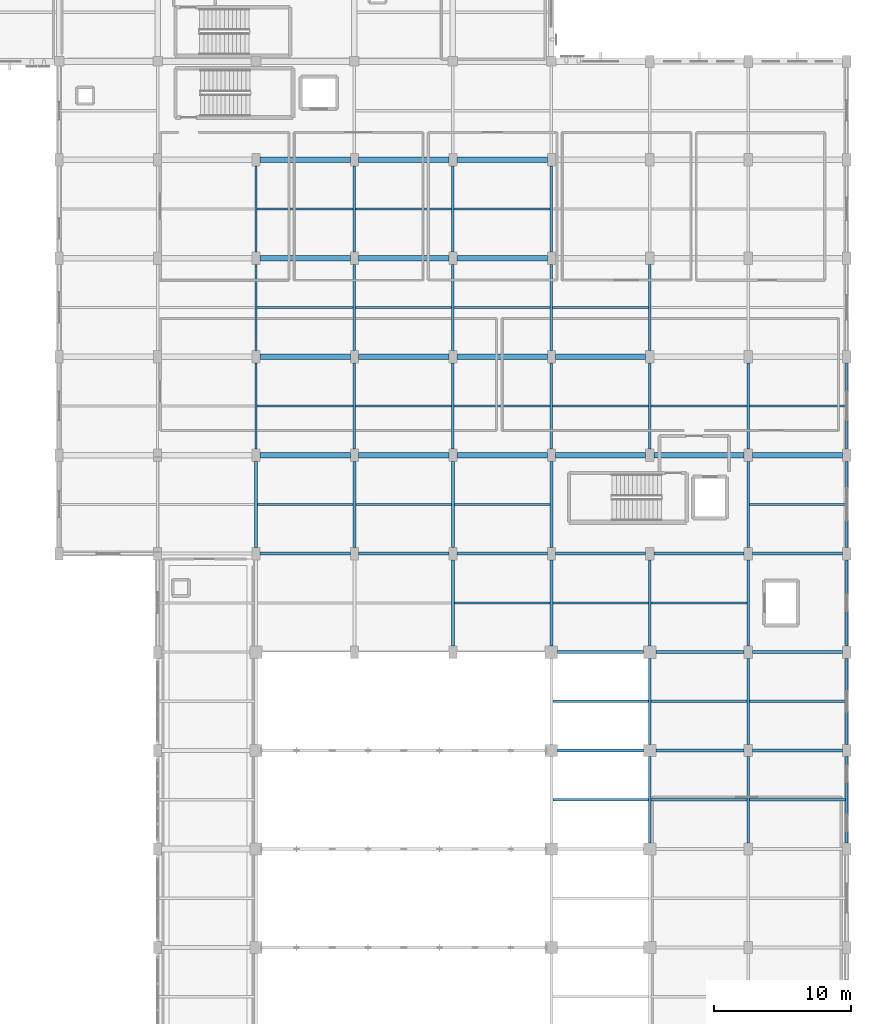
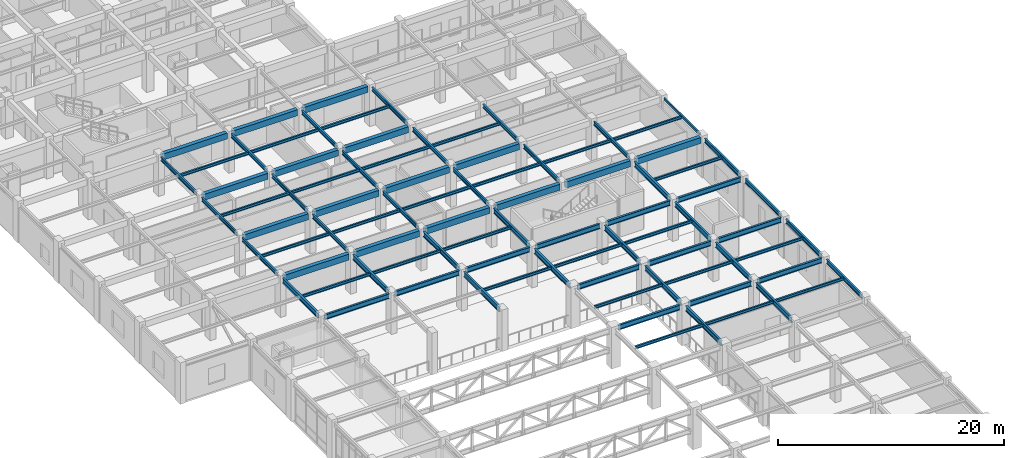
# One storey, part 51 of 106: 87 beams.
"""IFC4 building model written with IfcOpenShell, lengths in metres."""

from ifc_helpers import new_model, si_unit, direction, frame, origin, origin_2d, place, context, subcontext, project, spatial, rectangle, hollow_rectangle, i_section, extrude, material, material_profile, profile_set, type_object, element, save


model = new_model("IFC4")

# Units and contexts
model_context = context("Model", 3, precision=1e-05, world=origin(), true_north=direction((0.0, 1.0)))
body_context = subcontext(model_context, "Body", "Model", "MODEL_VIEW")
ifc_project = project(units=[si_unit("LENGTHUNIT", "METRE"), si_unit("AREAUNIT", "SQUARE_METRE"), si_unit("VOLUMEUNIT", "CUBIC_METRE"), si_unit("PLANEANGLEUNIT", "RADIAN"), si_unit("MASSUNIT", "GRAM", prefix="KILO")], contexts=[model_context])

# Site, building, storey
site_placement = place(None, origin())
site = spatial("IfcSite", under=ifc_project, at=site_placement, CompositionType="ELEMENT")
building_placement = place(site_placement, origin())
building = spatial("IfcBuilding", under=site, at=building_placement, Name="Carrowvane Square Congress Hotel", CompositionType="ELEMENT")
storey_placement = place(building_placement, frame((0.0, 0.0, 10.5)))
storey = spatial("IfcBuildingStorey", under=building, at=storey_placement, Name="L02", CompositionType="ELEMENT", Elevation=10.5)

# Beams
ifc_material_1 = material(Name="Concrete C35/45", Category="concrete")
ifc_material_profile_1 = material_profile(ifc_material_1, rectangle(XDim=0.39990234375, YDim=0.64990234375, at=origin_2d()), Name="RC 400x650")
ifc_profile_set_1 = profile_set([ifc_material_profile_1], Name="Concrete C35/45")
beam_type_1 = type_object("IfcBeamType", Name="BM-RC-400x650", PredefinedType="BEAM", material=ifc_profile_set_1)
for number, where, z_axis, x_axis, name in (
    (1, (141.5, 63.0, 3.89501953125), (1.0, 0.0, 0.0), (0.0, 1.0, 0.0), "L03 girder J/19-20"),
    (2, (148.699951171875, 63.0, 3.89501953125), (1.0, 0.0, 0.0), (0.0, 1.0, 0.0), "L03 girder J/20-21"),
    (3, (155.89990234375, 63.0, 3.89501953125), (1.0, 0.0, 0.0), (0.0, 1.0, 0.0), "L03 girder J/21-22"),
):
    element("IfcBeam", number, at=place(storey_placement, frame(where, z_axis=z_axis, x_axis=x_axis)), inside=storey, type_object=beam_type_1, Name=name, PredefinedType="BEAM", context=body_context, shape_type="SweptSolid", body=[
        extrude(rectangle(XDim=0.39990234375, YDim=0.64990234375, at=origin_2d()), origin(), (0.0, 0.0, 1.0), 6.60009765625),
    ])
for number, where, z_axis, x_axis, name in (
    (4, (163.10009765625, 63.0, 3.89501953125), (1.0, 0.0, 0.0), (0.0, 1.0, 0.0), "L03 girder J/22-23"),
    (5, (170.300048828125, 63.0, 3.89501953125), (1.0, 0.0, 0.0), (0.0, 1.0, 0.0), "L03 girder J/23-24"),
):
    element("IfcBeam", number, at=place(storey_placement, frame(where, z_axis=z_axis, x_axis=x_axis)), inside=storey, type_object=beam_type_1, Name=name, PredefinedType="BEAM", context=body_context, shape_type="SweptSolid", body=[
        extrude(rectangle(XDim=0.39990234375, YDim=0.64990234375, at=origin_2d()), origin(), (0.0, 0.0, 1.0), 6.599853515625),
    ])
for number, where, z_axis, x_axis, name in (
    (6, (177.5, 63.0, 3.89501953125), (1.0, 0.0, 0.0), (0.0, 1.0, 0.0), "L03 girder J/24-25"),
    (7, (141.5, 70.199951171875, 3.89501953125), (1.0, 0.0, 0.0), (0.0, 1.0, 0.0), "L03 girder K/19-20"),
    (8, (148.699951171875, 70.199951171875, 3.89501953125), (1.0, 0.0, 0.0), (0.0, 1.0, 0.0), "L03 girder K/20-21"),
    (9, (155.89990234375, 70.199951171875, 3.89501953125), (1.0, 0.0, 0.0), (0.0, 1.0, 0.0), "L03 girder K/21-22"),
):
    element("IfcBeam", number, at=place(storey_placement, frame(where, z_axis=z_axis, x_axis=x_axis)), inside=storey, type_object=beam_type_1, Name=name, PredefinedType="BEAM", context=body_context, shape_type="SweptSolid", body=[
        extrude(rectangle(XDim=0.39990234375, YDim=0.64990234375, at=origin_2d()), origin(), (0.0, 0.0, 1.0), 6.60009765625),
    ])
beam_1_placement = place(storey_placement, frame((163.10009765625, 70.199951171875, 3.89501953125), z_axis=(1.0, 0.0, 0.0), x_axis=(0.0, 1.0, 0.0)))
element("IfcBeam", 10, at=beam_1_placement, inside=storey, type_object=beam_type_1, Name="L03 girder K/22-23", PredefinedType="BEAM", context=body_context, shape_type="SweptSolid", body=[
    extrude(rectangle(XDim=0.39990234375, YDim=0.64990234375, at=origin_2d()), origin(), (0.0, 0.0, 1.0), 6.599853515625),
])
for number, where, z_axis, x_axis, name in (
    (11, (141.5, 77.39990234375, 3.89501953125), (1.0, 0.0, 0.0), (0.0, 1.0, 0.0), "L03 girder L/19-20"),
    (12, (148.699951171875, 77.39990234375, 3.89501953125), (1.0, 0.0, 0.0), (0.0, 1.0, 0.0), "L03 girder L/20-21"),
    (13, (155.89990234375, 77.39990234375, 3.89501953125), (1.0, 0.0, 0.0), (0.0, 1.0, 0.0), "L03 girder L/21-22"),
    (14, (141.5, 84.60009765625, 3.89501953125), (1.0, 0.0, 0.0), (0.0, 1.0, 0.0), "L03 girder M/19-20"),
    (15, (148.699951171875, 84.60009765625, 3.89501953125), (1.0, 0.0, 0.0), (0.0, 1.0, 0.0), "L03 girder M/20-21"),
    (16, (155.89990234375, 84.60009765625, 3.89501953125), (1.0, 0.0, 0.0), (0.0, 1.0, 0.0), "L03 girder M/21-22"),
):
    element("IfcBeam", number, at=place(storey_placement, frame(where, z_axis=z_axis, x_axis=x_axis)), inside=storey, type_object=beam_type_1, Name=name, PredefinedType="BEAM", context=body_context, shape_type="SweptSolid", body=[
        extrude(rectangle(XDim=0.39990234375, YDim=0.64990234375, at=origin_2d()), origin(), (0.0, 0.0, 1.0), 6.60009765625),
    ])
ifc_material_2 = material(Name="Steel S355", Category="steel")
ifc_material_profile_2 = material_profile(ifc_material_2, hollow_rectangle(XDim=0.14990234375, YDim=0.25, WallThickness=0.012451171875, at=origin_2d()), Name="RHS 250x150x12.5")
ifc_profile_set_2 = profile_set([ifc_material_profile_2], Name="Steel S355")
beam_type_2 = type_object("IfcBeamType", Name="BM-ST-RHS250", PredefinedType="SPANDREL", material=ifc_profile_set_2)
beam_2_placement = place(storey_placement, frame((184.39990234375, 63.449951171875, 4.094970703125), z_axis=(0.0, 1.0, 0.0), x_axis=(-1.0, 0.0, 0.0)))
element("IfcBeam", 17, at=beam_2_placement, inside=storey, type_object=beam_type_2, Name="L03 girder 25/J-K", PredefinedType="SPANDREL", context=body_context, shape_type="SweptSolid", body=[
    extrude(hollow_rectangle(XDim=0.14990234375, YDim=0.25, WallThickness=0.012451171875, at=origin_2d()), origin(), (0.0, 0.0, 1.0), 6.300048828125),
])
ifc_material_3 = material(Name="Steel S355", Category="steel")
ifc_material_profile_3 = material_profile(ifc_material_3, i_section(OverallWidth=0.165771484375, OverallDepth=0.306640625, WebThickness=0.006591796875, FlangeThickness=0.01171875, FilletRadius=0.0087890625, at=origin_2d()), Name="UKB 305x165x46")
ifc_profile_set_3 = profile_set([ifc_material_profile_3], Name="Steel S355")
beam_type_3 = type_object("IfcBeamType", Name="BM-ST-UKB305", PredefinedType="JOIST", material=ifc_profile_set_3)
beam_3_placement = place(storey_placement, frame((141.304931640625, 59.39990234375, 4.066650390625), z_axis=(1.0, 0.0, 0.0), x_axis=(0.0, 1.0, 0.0)))
element("IfcBeam", 18, at=beam_3_placement, inside=storey, type_object=beam_type_3, Name="L03 secondary joist 19-20", PredefinedType="JOIST", context=body_context, shape_type="SweptSolid", body=[
    extrude(i_section(OverallWidth=0.165771484375, OverallDepth=0.306640625, WebThickness=0.006591796875, FlangeThickness=0.01171875, FilletRadius=0.0087890625, at=origin_2d()), origin(), (0.0, 0.0, 1.0), 6.989990234375),
])
for number, where, z_axis, x_axis, name in (
    (19, (141.289306640625, 66.60009765625, 4.066650390625), (1.0, 0.0, 0.0), (0.0, 1.0, 0.0), "L03 secondary joist 19-20"),
    (20, (141.289306640625, 73.800048828125, 4.066650390625), (1.0, 0.0, 0.0), (0.0, 1.0, 0.0), "L03 secondary joist 19-20"),
    (21, (141.289306640625, 81.0, 4.066650390625), (1.0, 0.0, 0.0), (0.0, 1.0, 0.0), "L03 secondary joist 19-20"),
):
    element("IfcBeam", number, at=place(storey_placement, frame(where, z_axis=z_axis, x_axis=x_axis)), inside=storey, type_object=beam_type_3, Name=name, PredefinedType="JOIST", context=body_context, shape_type="SweptSolid", body=[
        extrude(i_section(OverallWidth=0.165771484375, OverallDepth=0.306640625, WebThickness=0.006591796875, FlangeThickness=0.01171875, FilletRadius=0.0087890625, at=origin_2d()), origin(), (0.0, 0.0, 1.0), 7.021240234375),
    ])
beam_4_placement = place(storey_placement, frame((148.5048828125, 59.39990234375, 4.066650390625), z_axis=(1.0, 0.0, 0.0), x_axis=(0.0, 1.0, 0.0)))
element("IfcBeam", 22, at=beam_4_placement, inside=storey, type_object=beam_type_3, Name="L03 secondary joist 20-21", PredefinedType="JOIST", context=body_context, shape_type="SweptSolid", body=[
    extrude(i_section(OverallWidth=0.165771484375, OverallDepth=0.306640625, WebThickness=0.006591796875, FlangeThickness=0.01171875, FilletRadius=0.0087890625, at=origin_2d()), origin(), (0.0, 0.0, 1.0), 6.990234375),
])
for number, where, z_axis, x_axis, name in (
    (23, (148.489501953125, 66.60009765625, 4.066650390625), (1.0, 0.0, 0.0), (0.0, 1.0, 0.0), "L03 secondary joist 20-21"),
    (24, (148.489501953125, 73.800048828125, 4.066650390625), (1.0, 0.0, 0.0), (0.0, 1.0, 0.0), "L03 secondary joist 20-21"),
    (25, (148.489501953125, 81.0, 4.066650390625), (1.0, 0.0, 0.0), (0.0, 1.0, 0.0), "L03 secondary joist 20-21"),
):
    element("IfcBeam", number, at=place(storey_placement, frame(where, z_axis=z_axis, x_axis=x_axis)), inside=storey, type_object=beam_type_3, Name=name, PredefinedType="JOIST", context=body_context, shape_type="SweptSolid", body=[
        extrude(i_section(OverallWidth=0.165771484375, OverallDepth=0.306640625, WebThickness=0.006591796875, FlangeThickness=0.01171875, FilletRadius=0.0087890625, at=origin_2d()), origin(), (0.0, 0.0, 1.0), 7.02099609375),
    ])
for number, where, z_axis, x_axis, name in (
    (26, (155.705078125, 52.199951171875, 4.066650390625), (1.0, 0.0, 0.0), (0.0, 1.0, 0.0), "L03 secondary joist 21-22"),
    (27, (155.705078125, 59.39990234375, 4.066650390625), (1.0, 0.0, 0.0), (0.0, 1.0, 0.0), "L03 secondary joist 21-22"),
):
    element("IfcBeam", number, at=place(storey_placement, frame(where, z_axis=z_axis, x_axis=x_axis)), inside=storey, type_object=beam_type_3, Name=name, PredefinedType="JOIST", context=body_context, shape_type="SweptSolid", body=[
        extrude(i_section(OverallWidth=0.165771484375, OverallDepth=0.306640625, WebThickness=0.006591796875, FlangeThickness=0.01171875, FilletRadius=0.0087890625, at=origin_2d()), origin(), (0.0, 0.0, 1.0), 6.989990234375),
    ])
for number, where, z_axis, x_axis, name in (
    (28, (155.689453125, 66.60009765625, 4.066650390625), (1.0, 0.0, 0.0), (0.0, 1.0, 0.0), "L03 secondary joist 21-22"),
    (29, (155.689453125, 73.800048828125, 4.066650390625), (1.0, 0.0, 0.0), (0.0, 1.0, 0.0), "L03 secondary joist 21-22"),
    (30, (155.689453125, 81.0, 4.066650390625), (1.0, 0.0, 0.0), (0.0, 1.0, 0.0), "L03 secondary joist 21-22"),
):
    element("IfcBeam", number, at=place(storey_placement, frame(where, z_axis=z_axis, x_axis=x_axis)), inside=storey, type_object=beam_type_3, Name=name, PredefinedType="JOIST", context=body_context, shape_type="SweptSolid", body=[
        extrude(i_section(OverallWidth=0.165771484375, OverallDepth=0.306640625, WebThickness=0.006591796875, FlangeThickness=0.01171875, FilletRadius=0.0087890625, at=origin_2d()), origin(), (0.0, 0.0, 1.0), 7.021240234375),
    ])
for number, where, z_axis, x_axis, name in (
    (31, (162.905029296875, 37.800048828125, 4.066650390625), (1.0, 0.0, 0.0), (0.0, 1.0, 0.0), "L03 secondary joist 22-23"),
    (32, (162.905029296875, 45.0, 4.066650390625), (1.0, 0.0, 0.0), (0.0, 1.0, 0.0), "L03 secondary joist 22-23"),
    (33, (162.905029296875, 52.199951171875, 4.066650390625), (1.0, 0.0, 0.0), (0.0, 1.0, 0.0), "L03 secondary joist 22-23"),
):
    element("IfcBeam", number, at=place(storey_placement, frame(where, z_axis=z_axis, x_axis=x_axis)), inside=storey, type_object=beam_type_3, Name=name, PredefinedType="JOIST", context=body_context, shape_type="SweptSolid", body=[
        extrude(i_section(OverallWidth=0.165771484375, OverallDepth=0.306640625, WebThickness=0.006591796875, FlangeThickness=0.01171875, FilletRadius=0.0087890625, at=origin_2d()), origin(), (0.0, 0.0, 1.0), 6.989990234375),
    ])
for number, where, z_axis, x_axis, name in (
    (34, (162.889404296875, 66.60009765625, 4.066650390625), (1.0, 0.0, 0.0), (0.0, 1.0, 0.0), "L03 secondary joist 22-23"),
    (35, (162.889404296875, 73.800048828125, 4.066650390625), (1.0, 0.0, 0.0), (0.0, 1.0, 0.0), "L03 secondary joist 22-23"),
):
    element("IfcBeam", number, at=place(storey_placement, frame(where, z_axis=z_axis, x_axis=x_axis)), inside=storey, type_object=beam_type_3, Name=name, PredefinedType="JOIST", context=body_context, shape_type="SweptSolid", body=[
        extrude(i_section(OverallWidth=0.165771484375, OverallDepth=0.306640625, WebThickness=0.006591796875, FlangeThickness=0.01171875, FilletRadius=0.0087890625, at=origin_2d()), origin(), (0.0, 0.0, 1.0), 7.021240234375),
    ])
for number, where, z_axis, x_axis, name in (
    (36, (170.10498046875, 37.800048828125, 4.066650390625), (1.0, 0.0, 0.0), (0.0, 1.0, 0.0), "L03 secondary joist 23-24"),
    (37, (170.10498046875, 45.0, 4.066650390625), (1.0, 0.0, 0.0), (0.0, 1.0, 0.0), "L03 secondary joist 23-24"),
    (38, (170.10498046875, 52.199951171875, 4.066650390625), (1.0, 0.0, 0.0), (0.0, 1.0, 0.0), "L03 secondary joist 23-24"),
):
    element("IfcBeam", number, at=place(storey_placement, frame(where, z_axis=z_axis, x_axis=x_axis)), inside=storey, type_object=beam_type_3, Name=name, PredefinedType="JOIST", context=body_context, shape_type="SweptSolid", body=[
        extrude(i_section(OverallWidth=0.165771484375, OverallDepth=0.306640625, WebThickness=0.006591796875, FlangeThickness=0.01171875, FilletRadius=0.0087890625, at=origin_2d()), origin(), (0.0, 0.0, 1.0), 6.989990234375),
    ])
beam_5_placement = place(storey_placement, frame((170.08935546875, 66.60009765625, 4.066650390625), z_axis=(1.0, 0.0, 0.0), x_axis=(0.0, 1.0, 0.0)))
element("IfcBeam", 39, at=beam_5_placement, inside=storey, type_object=beam_type_3, Name="L03 secondary joist 23-24", PredefinedType="JOIST", context=body_context, shape_type="SweptSolid", body=[
    extrude(i_section(OverallWidth=0.165771484375, OverallDepth=0.306640625, WebThickness=0.006591796875, FlangeThickness=0.01171875, FilletRadius=0.0087890625, at=origin_2d()), origin(), (0.0, 0.0, 1.0), 7.021240234375),
])
for number, where, z_axis, x_axis, name in (
    (40, (177.304931640625, 37.800048828125, 4.066650390625), (1.0, 0.0, 0.0), (0.0, 1.0, 0.0), "L03 secondary joist 24-25"),
    (41, (177.304931640625, 45.0, 4.066650390625), (1.0, 0.0, 0.0), (0.0, 1.0, 0.0), "L03 secondary joist 24-25"),
    (42, (177.304931640625, 59.39990234375, 4.066650390625), (1.0, 0.0, 0.0), (0.0, 1.0, 0.0), "L03 secondary joist 24-25"),
):
    element("IfcBeam", number, at=place(storey_placement, frame(where, z_axis=z_axis, x_axis=x_axis)), inside=storey, type_object=beam_type_3, Name=name, PredefinedType="JOIST", context=body_context, shape_type="SweptSolid", body=[
        extrude(i_section(OverallWidth=0.165771484375, OverallDepth=0.306640625, WebThickness=0.006591796875, FlangeThickness=0.01171875, FilletRadius=0.0087890625, at=origin_2d()), origin(), (0.0, 0.0, 1.0), 6.99951171875),
    ])
beam_6_placement = place(storey_placement, frame((177.289306640625, 66.60009765625, 4.066650390625), z_axis=(1.0, 0.0, 0.0), x_axis=(0.0, 1.0, 0.0)))
element("IfcBeam", 43, at=beam_6_placement, inside=storey, type_object=beam_type_3, Name="L03 secondary joist 24-25", PredefinedType="JOIST", context=body_context, shape_type="SweptSolid", body=[
    extrude(i_section(OverallWidth=0.165771484375, OverallDepth=0.306640625, WebThickness=0.006591796875, FlangeThickness=0.01171875, FilletRadius=0.0087890625, at=origin_2d()), origin(), (0.0, 0.0, 1.0), 7.03564453125),
])
ifc_material_4 = material(Name="Steel S355", Category="steel")
ifc_material_profile_4 = material_profile(ifc_material_4, i_section(OverallWidth=0.1787109375, OverallDepth=0.409423828125, WebThickness=0.0087890625, FlangeThickness=0.014404296875, FilletRadius=0.01025390625, at=origin_2d()), Name="UKB 406x178x67")
ifc_profile_set_4 = profile_set([ifc_material_profile_4], Name="Steel S355")
beam_type_4 = type_object("IfcBeamType", Name="BM-ST-UKB406", PredefinedType="BEAM", material=ifc_profile_set_4)
for number, where, z_axis, x_axis, name in (
    (44, (141.199951171875, 63.449951171875, 4.015380859375), (0.0, 1.0, 0.0), (-1.0, 0.0, 0.0), "L03 girder 19/J-K"),
    (45, (141.199951171875, 70.64990234375, 4.015380859375), (0.0, 1.0, 0.0), (-1.0, 0.0, 0.0), "L03 girder 19/K-L"),
):
    element("IfcBeam", number, at=place(storey_placement, frame(where, z_axis=z_axis, x_axis=x_axis)), inside=storey, type_object=beam_type_4, Name=name, PredefinedType="BEAM", context=body_context, shape_type="SweptSolid", body=[
        extrude(i_section(OverallWidth=0.1787109375, OverallDepth=0.409423828125, WebThickness=0.0087890625, FlangeThickness=0.014404296875, FilletRadius=0.01025390625, at=origin_2d()), origin(), (0.0, 0.0, 1.0), 6.300048828125),
    ])
beam_7_placement = place(storey_placement, frame((141.199951171875, 77.85009765625, 4.015380859375), z_axis=(0.0, 1.0, 0.0), x_axis=(-1.0, 0.0, 0.0)))
element("IfcBeam", 46, at=beam_7_placement, inside=storey, type_object=beam_type_4, Name="L03 girder 19/L-M", PredefinedType="BEAM", context=body_context, shape_type="SweptSolid", body=[
    extrude(i_section(OverallWidth=0.1787109375, OverallDepth=0.409423828125, WebThickness=0.0087890625, FlangeThickness=0.014404296875, FilletRadius=0.01025390625, at=origin_2d()), origin(), (0.0, 0.0, 1.0), 6.2998046875),
])
for number, where, z_axis, x_axis, name in (
    (47, (148.39990234375, 63.449951171875, 4.015380859375), (0.0, 1.0, 0.0), (-1.0, 0.0, 0.0), "L03 girder 20/J-K"),
    (48, (148.39990234375, 70.64990234375, 4.015380859375), (0.0, 1.0, 0.0), (-1.0, 0.0, 0.0), "L03 girder 20/K-L"),
):
    element("IfcBeam", number, at=place(storey_placement, frame(where, z_axis=z_axis, x_axis=x_axis)), inside=storey, type_object=beam_type_4, Name=name, PredefinedType="BEAM", context=body_context, shape_type="SweptSolid", body=[
        extrude(i_section(OverallWidth=0.1787109375, OverallDepth=0.409423828125, WebThickness=0.0087890625, FlangeThickness=0.014404296875, FilletRadius=0.01025390625, at=origin_2d()), origin(), (0.0, 0.0, 1.0), 6.300048828125),
    ])
beam_8_placement = place(storey_placement, frame((148.39990234375, 77.85009765625, 4.015380859375), z_axis=(0.0, 1.0, 0.0), x_axis=(-1.0, 0.0, 0.0)))
element("IfcBeam", 49, at=beam_8_placement, inside=storey, type_object=beam_type_4, Name="L03 girder 20/L-M", PredefinedType="BEAM", context=body_context, shape_type="SweptSolid", body=[
    extrude(i_section(OverallWidth=0.1787109375, OverallDepth=0.409423828125, WebThickness=0.0087890625, FlangeThickness=0.014404296875, FilletRadius=0.01025390625, at=origin_2d()), origin(), (0.0, 0.0, 1.0), 6.2998046875),
])
for number, where, z_axis, x_axis, name in (
    (50, (155.60009765625, 63.449951171875, 4.015380859375), (0.0, 1.0, 0.0), (-1.0, 0.0, 0.0), "L03 girder 21/J-K"),
    (51, (155.60009765625, 70.64990234375, 4.015380859375), (0.0, 1.0, 0.0), (-1.0, 0.0, 0.0), "L03 girder 21/K-L"),
):
    element("IfcBeam", number, at=place(storey_placement, frame(where, z_axis=z_axis, x_axis=x_axis)), inside=storey, type_object=beam_type_4, Name=name, PredefinedType="BEAM", context=body_context, shape_type="SweptSolid", body=[
        extrude(i_section(OverallWidth=0.1787109375, OverallDepth=0.409423828125, WebThickness=0.0087890625, FlangeThickness=0.014404296875, FilletRadius=0.01025390625, at=origin_2d()), origin(), (0.0, 0.0, 1.0), 6.300048828125),
    ])
beam_9_placement = place(storey_placement, frame((155.60009765625, 77.85009765625, 4.015380859375), z_axis=(0.0, 1.0, 0.0), x_axis=(-1.0, 0.0, 0.0)))
element("IfcBeam", 52, at=beam_9_placement, inside=storey, type_object=beam_type_4, Name="L03 girder 21/L-M", PredefinedType="BEAM", context=body_context, shape_type="SweptSolid", body=[
    extrude(i_section(OverallWidth=0.1787109375, OverallDepth=0.409423828125, WebThickness=0.0087890625, FlangeThickness=0.014404296875, FilletRadius=0.01025390625, at=origin_2d()), origin(), (0.0, 0.0, 1.0), 6.2998046875),
])
for number, where, z_axis, x_axis, name in (
    (53, (162.800048828125, 63.449951171875, 4.015380859375), (0.0, 1.0, 0.0), (-1.0, 0.0, 0.0), "L03 girder 22/J-K"),
    (54, (162.800048828125, 70.64990234375, 4.015380859375), (0.0, 1.0, 0.0), (-1.0, 0.0, 0.0), "L03 girder 22/K-L"),
):
    element("IfcBeam", number, at=place(storey_placement, frame(where, z_axis=z_axis, x_axis=x_axis)), inside=storey, type_object=beam_type_4, Name=name, PredefinedType="BEAM", context=body_context, shape_type="SweptSolid", body=[
        extrude(i_section(OverallWidth=0.1787109375, OverallDepth=0.409423828125, WebThickness=0.0087890625, FlangeThickness=0.014404296875, FilletRadius=0.01025390625, at=origin_2d()), origin(), (0.0, 0.0, 1.0), 6.300048828125),
    ])
beam_10_placement = place(storey_placement, frame((162.800048828125, 77.85009765625, 4.015380859375), z_axis=(0.0, 1.0, 0.0), x_axis=(-1.0, 0.0, 0.0)))
element("IfcBeam", 55, at=beam_10_placement, inside=storey, type_object=beam_type_4, Name="L03 girder 22/L-M", PredefinedType="BEAM", context=body_context, shape_type="SweptSolid", body=[
    extrude(i_section(OverallWidth=0.1787109375, OverallDepth=0.409423828125, WebThickness=0.0087890625, FlangeThickness=0.014404296875, FilletRadius=0.01025390625, at=origin_2d()), origin(), (0.0, 0.0, 1.0), 6.2998046875),
])
for number, where, z_axis, x_axis, name in (
    (56, (170.0, 63.449951171875, 4.015380859375), (0.0, 1.0, 0.0), (-1.0, 0.0, 0.0), "L03 girder 23/J-K"),
    (57, (170.0, 70.64990234375, 4.015380859375), (0.0, 1.0, 0.0), (-1.0, 0.0, 0.0), "L03 girder 23/K-L"),
    (58, (177.199951171875, 63.449951171875, 4.015380859375), (0.0, 1.0, 0.0), (-1.0, 0.0, 0.0), "L03 girder 24/J-K"),
):
    element("IfcBeam", number, at=place(storey_placement, frame(where, z_axis=z_axis, x_axis=x_axis)), inside=storey, type_object=beam_type_4, Name=name, PredefinedType="BEAM", context=body_context, shape_type="SweptSolid", body=[
        extrude(i_section(OverallWidth=0.1787109375, OverallDepth=0.409423828125, WebThickness=0.0087890625, FlangeThickness=0.014404296875, FilletRadius=0.01025390625, at=origin_2d()), origin(), (0.0, 0.0, 1.0), 6.300048828125),
    ])
ifc_material_5 = material(Name="Steel S355", Category="steel")
ifc_material_profile_5 = material_profile(ifc_material_5, i_section(OverallWidth=0.19140625, OverallDepth=0.4599609375, WebThickness=0.010009765625, FlangeThickness=0.01611328125, FilletRadius=0.01025390625, at=origin_2d()), Name="UKB 457x191x82")
ifc_profile_set_5 = profile_set([ifc_material_profile_5], Name="Steel S355")
beam_type_5 = type_object("IfcBeamType", Name="BM-ST-UKB457", PredefinedType="SPANDREL", material=ifc_profile_set_5)
beam_11_placement = place(storey_placement, frame((184.39990234375, 34.64990234375, 3.989990234375), z_axis=(0.0, 1.0, 0.0), x_axis=(-1.0, 0.0, 0.0)))
element("IfcBeam", 59, at=beam_11_placement, inside=storey, type_object=beam_type_5, Name="L03 girder 25/E-F", PredefinedType="SPANDREL", context=body_context, shape_type="SweptSolid", body=[
    extrude(i_section(OverallWidth=0.19140625, OverallDepth=0.4599609375, WebThickness=0.010009765625, FlangeThickness=0.01611328125, FilletRadius=0.01025390625, at=origin_2d()), origin(), (0.0, 0.0, 1.0), 6.300048828125),
])
beam_12_placement = place(storey_placement, frame((184.39990234375, 41.85009765625, 3.989990234375), z_axis=(0.0, 1.0, 0.0), x_axis=(-1.0, 0.0, 0.0)))
element("IfcBeam", 60, at=beam_12_placement, inside=storey, type_object=beam_type_5, Name="L03 girder 25/F-G", PredefinedType="SPANDREL", context=body_context, shape_type="SweptSolid", body=[
    extrude(i_section(OverallWidth=0.19140625, OverallDepth=0.4599609375, WebThickness=0.010009765625, FlangeThickness=0.01611328125, FilletRadius=0.01025390625, at=origin_2d()), origin(), (0.0, 0.0, 1.0), 6.2998046875),
])
for number, where, z_axis, x_axis, name in (
    (61, (184.39990234375, 49.050048828125, 3.989990234375), (0.0, 1.0, 0.0), (-1.0, 0.0, 0.0), "L03 girder 25/G-H"),
    (62, (184.39990234375, 56.25, 3.989990234375), (0.0, 1.0, 0.0), (-1.0, 0.0, 0.0), "L03 girder 25/H-J"),
):
    element("IfcBeam", number, at=place(storey_placement, frame(where, z_axis=z_axis, x_axis=x_axis)), inside=storey, type_object=beam_type_5, Name=name, PredefinedType="SPANDREL", context=body_context, shape_type="SweptSolid", body=[
        extrude(i_section(OverallWidth=0.19140625, OverallDepth=0.4599609375, WebThickness=0.010009765625, FlangeThickness=0.01611328125, FilletRadius=0.01025390625, at=origin_2d()), origin(), (0.0, 0.0, 1.0), 6.300048828125),
    ])
ifc_material_6 = material(Name="Steel S355", Category="steel")
ifc_material_profile_6 = material_profile(ifc_material_6, i_section(OverallWidth=0.2099609375, OverallDepth=0.53662109375, WebThickness=0.0107421875, FlangeThickness=0.017333984375, FilletRadius=0.0126953125, at=origin_2d()), Name="UKB 533x210x101")
ifc_profile_set_6 = profile_set([ifc_material_profile_6], Name="Steel S355")
beam_type_6 = type_object("IfcBeamType", Name="BM-ST-UKB533", PredefinedType="USERDEFINED", material=ifc_profile_set_6)
beam_13_placement = place(storey_placement, frame((163.25, 41.39990234375, 3.95166015625), z_axis=(1.0, 0.0, 0.0), x_axis=(0.0, 1.0, 0.0)))
element("IfcBeam", 63, at=beam_13_placement, inside=storey, type_object=beam_type_6, Name="L03 girder F/22-23", ObjectType="GIRDER", PredefinedType="USERDEFINED", context=body_context, shape_type="SweptSolid", body=[
    extrude(i_section(OverallWidth=0.2099609375, OverallDepth=0.53662109375, WebThickness=0.0107421875, FlangeThickness=0.017333984375, FilletRadius=0.0126953125, at=origin_2d()), origin(), (0.0, 0.0, 1.0), 6.300048828125),
])
beam_14_placement = place(storey_placement, frame((170.449951171875, 41.39990234375, 3.95166015625), z_axis=(1.0, 0.0, 0.0), x_axis=(0.0, 1.0, 0.0)))
element("IfcBeam", 64, at=beam_14_placement, inside=storey, type_object=beam_type_6, Name="L03 girder F/23-24", ObjectType="GIRDER", PredefinedType="USERDEFINED", context=body_context, shape_type="SweptSolid", body=[
    extrude(i_section(OverallWidth=0.2099609375, OverallDepth=0.53662109375, WebThickness=0.0107421875, FlangeThickness=0.017333984375, FilletRadius=0.0126953125, at=origin_2d()), origin(), (0.0, 0.0, 1.0), 6.449951171875),
])
beam_15_placement = place(storey_placement, frame((177.5, 41.39990234375, 3.95166015625), z_axis=(1.0, 0.0, 0.0), x_axis=(0.0, 1.0, 0.0)))
element("IfcBeam", 65, at=beam_15_placement, inside=storey, type_object=beam_type_6, Name="L03 girder F/24-25", ObjectType="GIRDER", PredefinedType="USERDEFINED", context=body_context, shape_type="SweptSolid", body=[
    extrude(i_section(OverallWidth=0.2099609375, OverallDepth=0.53662109375, WebThickness=0.0107421875, FlangeThickness=0.017333984375, FilletRadius=0.0126953125, at=origin_2d()), origin(), (0.0, 0.0, 1.0), 6.60009765625),
])
beam_16_placement = place(storey_placement, frame((163.25, 48.60009765625, 3.95166015625), z_axis=(1.0, 0.0, 0.0), x_axis=(0.0, 1.0, 0.0)))
element("IfcBeam", 66, at=beam_16_placement, inside=storey, type_object=beam_type_6, Name="L03 girder G/22-23", ObjectType="GIRDER", PredefinedType="USERDEFINED", context=body_context, shape_type="SweptSolid", body=[
    extrude(i_section(OverallWidth=0.2099609375, OverallDepth=0.53662109375, WebThickness=0.0107421875, FlangeThickness=0.017333984375, FilletRadius=0.0126953125, at=origin_2d()), origin(), (0.0, 0.0, 1.0), 6.300048828125),
])
beam_17_placement = place(storey_placement, frame((170.449951171875, 48.60009765625, 3.95166015625), z_axis=(1.0, 0.0, 0.0), x_axis=(0.0, 1.0, 0.0)))
element("IfcBeam", 67, at=beam_17_placement, inside=storey, type_object=beam_type_6, Name="L03 girder G/23-24", ObjectType="GIRDER", PredefinedType="USERDEFINED", context=body_context, shape_type="SweptSolid", body=[
    extrude(i_section(OverallWidth=0.2099609375, OverallDepth=0.53662109375, WebThickness=0.0107421875, FlangeThickness=0.017333984375, FilletRadius=0.0126953125, at=origin_2d()), origin(), (0.0, 0.0, 1.0), 6.449951171875),
])
for number, where, z_axis, x_axis, name in (
    (68, (177.5, 48.60009765625, 3.95166015625), (1.0, 0.0, 0.0), (0.0, 1.0, 0.0), "L03 girder G/24-25"),
    (69, (141.5, 55.800048828125, 3.95166015625), (1.0, 0.0, 0.0), (0.0, 1.0, 0.0), "L03 girder H/19-20"),
    (70, (148.699951171875, 55.800048828125, 3.95166015625), (1.0, 0.0, 0.0), (0.0, 1.0, 0.0), "L03 girder H/20-21"),
    (71, (155.89990234375, 55.800048828125, 3.95166015625), (1.0, 0.0, 0.0), (0.0, 1.0, 0.0), "L03 girder H/21-22"),
):
    element("IfcBeam", number, at=place(storey_placement, frame(where, z_axis=z_axis, x_axis=x_axis)), inside=storey, type_object=beam_type_6, Name=name, ObjectType="GIRDER", PredefinedType="USERDEFINED", context=body_context, shape_type="SweptSolid", body=[
        extrude(i_section(OverallWidth=0.2099609375, OverallDepth=0.53662109375, WebThickness=0.0107421875, FlangeThickness=0.017333984375, FilletRadius=0.0126953125, at=origin_2d()), origin(), (0.0, 0.0, 1.0), 6.60009765625),
    ])
for number, where, z_axis, x_axis, name in (
    (72, (163.10009765625, 55.800048828125, 3.95166015625), (1.0, 0.0, 0.0), (0.0, 1.0, 0.0), "L03 girder H/22-23"),
    (73, (170.300048828125, 55.800048828125, 3.95166015625), (1.0, 0.0, 0.0), (0.0, 1.0, 0.0), "L03 girder H/23-24"),
):
    element("IfcBeam", number, at=place(storey_placement, frame(where, z_axis=z_axis, x_axis=x_axis)), inside=storey, type_object=beam_type_6, Name=name, ObjectType="GIRDER", PredefinedType="USERDEFINED", context=body_context, shape_type="SweptSolid", body=[
        extrude(i_section(OverallWidth=0.2099609375, OverallDepth=0.53662109375, WebThickness=0.0107421875, FlangeThickness=0.017333984375, FilletRadius=0.0126953125, at=origin_2d()), origin(), (0.0, 0.0, 1.0), 6.599853515625),
    ])
beam_18_placement = place(storey_placement, frame((177.5, 55.800048828125, 3.95166015625), z_axis=(1.0, 0.0, 0.0), x_axis=(0.0, 1.0, 0.0)))
element("IfcBeam", 74, at=beam_18_placement, inside=storey, type_object=beam_type_6, Name="L03 girder H/24-25", ObjectType="GIRDER", PredefinedType="USERDEFINED", context=body_context, shape_type="SweptSolid", body=[
    extrude(i_section(OverallWidth=0.2099609375, OverallDepth=0.53662109375, WebThickness=0.0107421875, FlangeThickness=0.017333984375, FilletRadius=0.0126953125, at=origin_2d()), origin(), (0.0, 0.0, 1.0), 6.60009765625),
])
for number, where, z_axis, x_axis, name in (
    (75, (141.199951171875, 56.25, 3.95166015625), (0.0, 1.0, 0.0), (-1.0, 0.0, 0.0), "L03 girder 19/H-J"),
    (76, (148.39990234375, 56.25, 3.95166015625), (0.0, 1.0, 0.0), (-1.0, 0.0, 0.0), "L03 girder 20/H-J"),
    (77, (155.60009765625, 49.050048828125, 3.95166015625), (0.0, 1.0, 0.0), (-1.0, 0.0, 0.0), "L03 girder 21/G-H"),
    (78, (155.60009765625, 56.25, 3.95166015625), (0.0, 1.0, 0.0), (-1.0, 0.0, 0.0), "L03 girder 21/H-J"),
    (79, (162.800048828125, 49.050048828125, 3.95166015625), (0.0, 1.0, 0.0), (-1.0, 0.0, 0.0), "L03 girder 22/G-H"),
    (80, (162.800048828125, 56.25, 3.95166015625), (0.0, 1.0, 0.0), (-1.0, 0.0, 0.0), "L03 girder 22/H-J"),
    (81, (170.0, 34.64990234375, 3.95166015625), (0.0, 1.0, 0.0), (-1.0, 0.0, 0.0), "L03 girder 23/E-F"),
):
    element("IfcBeam", number, at=place(storey_placement, frame(where, z_axis=z_axis, x_axis=x_axis)), inside=storey, type_object=beam_type_6, Name=name, ObjectType="GIRDER", PredefinedType="USERDEFINED", context=body_context, shape_type="SweptSolid", body=[
        extrude(i_section(OverallWidth=0.2099609375, OverallDepth=0.53662109375, WebThickness=0.0107421875, FlangeThickness=0.017333984375, FilletRadius=0.0126953125, at=origin_2d()), origin(), (0.0, 0.0, 1.0), 6.300048828125),
    ])
beam_19_placement = place(storey_placement, frame((170.0, 41.85009765625, 3.95166015625), z_axis=(0.0, 1.0, 0.0), x_axis=(-1.0, 0.0, 0.0)))
element("IfcBeam", 82, at=beam_19_placement, inside=storey, type_object=beam_type_6, Name="L03 girder 23/F-G", ObjectType="GIRDER", PredefinedType="USERDEFINED", context=body_context, shape_type="SweptSolid", body=[
    extrude(i_section(OverallWidth=0.2099609375, OverallDepth=0.53662109375, WebThickness=0.0107421875, FlangeThickness=0.017333984375, FilletRadius=0.0126953125, at=origin_2d()), origin(), (0.0, 0.0, 1.0), 6.2998046875),
])
for number, where, z_axis, x_axis, name in (
    (83, (170.0, 49.050048828125, 3.95166015625), (0.0, 1.0, 0.0), (-1.0, 0.0, 0.0), "L03 girder 23/G-H"),
    (84, (177.199951171875, 34.64990234375, 3.95166015625), (0.0, 1.0, 0.0), (-1.0, 0.0, 0.0), "L03 girder 24/E-F"),
):
    element("IfcBeam", number, at=place(storey_placement, frame(where, z_axis=z_axis, x_axis=x_axis)), inside=storey, type_object=beam_type_6, Name=name, ObjectType="GIRDER", PredefinedType="USERDEFINED", context=body_context, shape_type="SweptSolid", body=[
        extrude(i_section(OverallWidth=0.2099609375, OverallDepth=0.53662109375, WebThickness=0.0107421875, FlangeThickness=0.017333984375, FilletRadius=0.0126953125, at=origin_2d()), origin(), (0.0, 0.0, 1.0), 6.300048828125),
    ])
beam_20_placement = place(storey_placement, frame((177.199951171875, 41.85009765625, 3.95166015625), z_axis=(0.0, 1.0, 0.0), x_axis=(-1.0, 0.0, 0.0)))
element("IfcBeam", 85, at=beam_20_placement, inside=storey, type_object=beam_type_6, Name="L03 girder 24/F-G", ObjectType="GIRDER", PredefinedType="USERDEFINED", context=body_context, shape_type="SweptSolid", body=[
    extrude(i_section(OverallWidth=0.2099609375, OverallDepth=0.53662109375, WebThickness=0.0107421875, FlangeThickness=0.017333984375, FilletRadius=0.0126953125, at=origin_2d()), origin(), (0.0, 0.0, 1.0), 6.2998046875),
])
for number, where, z_axis, x_axis, name in (
    (86, (177.199951171875, 49.050048828125, 3.95166015625), (0.0, 1.0, 0.0), (-1.0, 0.0, 0.0), "L03 girder 24/G-H"),
    (87, (177.199951171875, 56.25, 3.95166015625), (0.0, 1.0, 0.0), (-1.0, 0.0, 0.0), "L03 girder 24/H-J"),
):
    element("IfcBeam", number, at=place(storey_placement, frame(where, z_axis=z_axis, x_axis=x_axis)), inside=storey, type_object=beam_type_6, Name=name, ObjectType="GIRDER", PredefinedType="USERDEFINED", context=body_context, shape_type="SweptSolid", body=[
        extrude(i_section(OverallWidth=0.2099609375, OverallDepth=0.53662109375, WebThickness=0.0107421875, FlangeThickness=0.017333984375, FilletRadius=0.0126953125, at=origin_2d()), origin(), (0.0, 0.0, 1.0), 6.300048828125),
    ])

save(model, "model.ifc")
